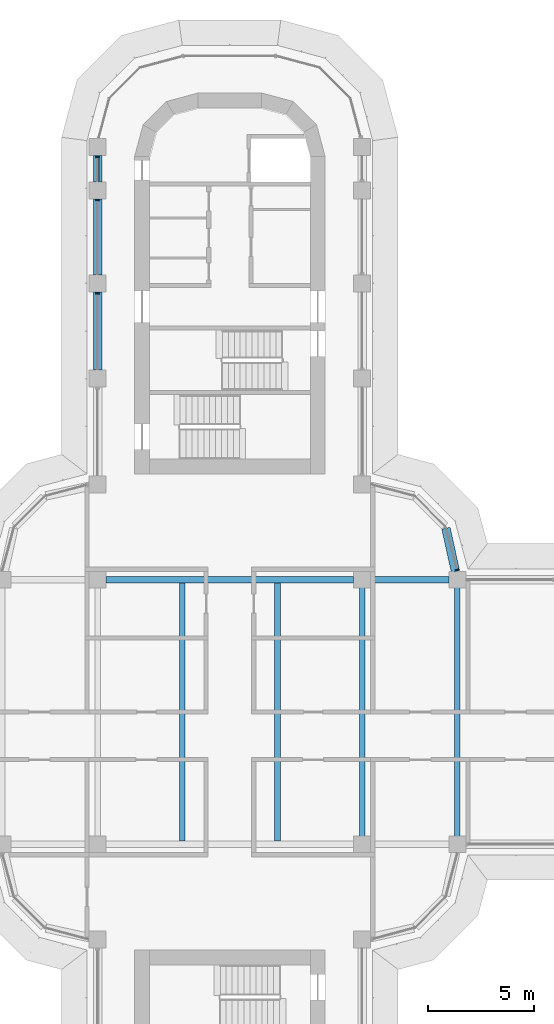
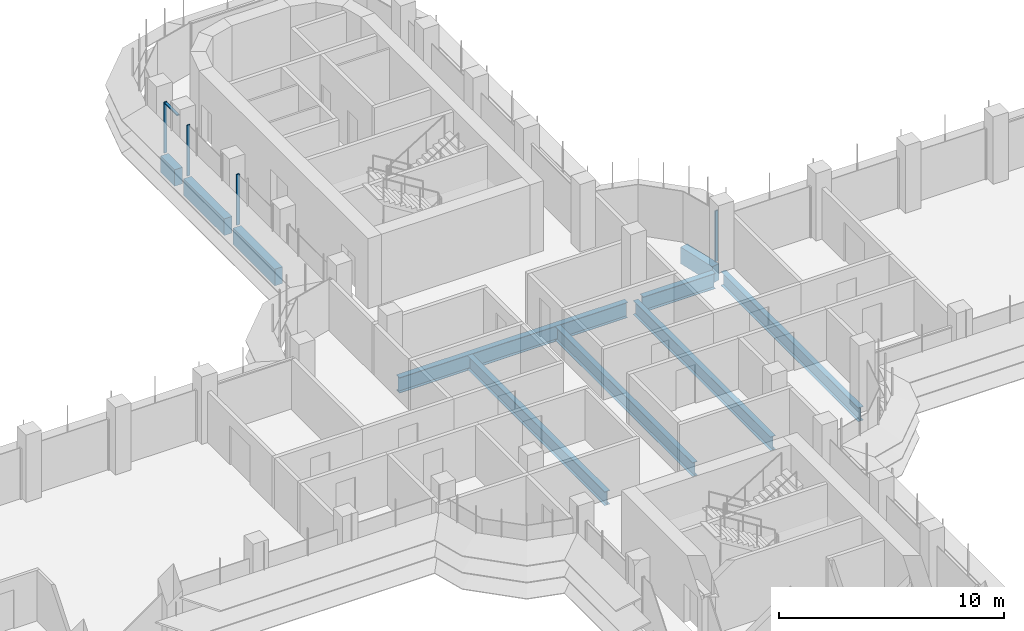
# One storey, part 7 of 19: 10 beams, 5 members, 2 elements without a shape of their own.
"""IFC4 building model written with IfcOpenShell, lengths in metres."""

from ifc_helpers import new_model, si_unit, direction, frame, origin, origin_2d, place, context, subcontext, project, spatial, polyline, rectangle, i_section, outline, extrude, source, transform, mapped, material, material_profile, profile_set, type_object, element, aggregate, save


model = new_model("IFC4")

# Units and contexts
model_context = context("Model", 3, precision=1e-05, world=origin(), true_north=direction((0.0, 1.0)))
body_context = subcontext(model_context, "Body", "Model", "MODEL_VIEW")
ifc_project = project(units=[si_unit("LENGTHUNIT", "METRE"), si_unit("AREAUNIT", "SQUARE_METRE"), si_unit("VOLUMEUNIT", "CUBIC_METRE"), si_unit("PLANEANGLEUNIT", "RADIAN"), si_unit("MASSUNIT", "GRAM", prefix="KILO")], contexts=[model_context])

# Site, building, storey
site_placement = place(None, origin())
site = spatial("IfcSite", under=ifc_project, at=site_placement, CompositionType="ELEMENT")
building_placement = place(site_placement, origin())
building = spatial("IfcBuilding", under=site, at=building_placement, Name="Zarbagh Exchange Tower", CompositionType="ELEMENT")
storey_placement = place(building_placement, frame((0.0, 0.0, 167.60009765625)))
storey = spatial("IfcBuildingStorey", under=building, at=storey_placement, Name="L40", CompositionType="ELEMENT", Elevation=167.60009765625)

# Beams
ifc_material_1 = material(Name="Steel ASTM A992 Gr 50", Category="steel")
ifc_material_profile_1 = material_profile(ifc_material_1, i_section(OverallWidth=0.26416015625, OverallDepth=0.749267578125, WebThickness=0.011962890625, FlangeThickness=0.015380859375, at=origin_2d()), Name="W30X90")
ifc_profile_set_1 = profile_set([ifc_material_profile_1], Name="Steel ASTM A992 Gr 50")
beam_type_1 = type_object("IfcBeamType", Name="Floor beam W30X90", PredefinedType="BEAM", material=ifc_profile_set_1)
for number, where, z_axis, x_axis, name in (
    (1, (-2.25, -6.10400390625, -0.524658203125), (0.0, 1.0, 0.0), (-1.0, 0.0, 0.0), "Steel floor beam"),
    (2, (2.25, -6.10400390625, -0.524658203125), (0.0, 1.0, 0.0), (-1.0, 0.0, 0.0), "Steel floor beam"),
    (3, (6.25, -6.10400390625, -0.524658203125), (0.0, 1.0, 0.0), (-1.0, 0.0, 0.0), "Steel floor beam"),
    (4, (10.75, -6.10400390625, -0.524658203125), (0.0, 1.0, 0.0), (-1.0, 0.0, 0.0), "Steel floor beam"),
):
    element("IfcBeam", number, at=place(storey_placement, frame(where, z_axis=z_axis, x_axis=x_axis)), inside=storey, type_object=beam_type_1, Name=name, PredefinedType="BEAM", context=body_context, shape_type="SweptSolid", body=[
        extrude(i_section(OverallWidth=0.26416015625, OverallDepth=0.749267578125, WebThickness=0.011962890625, FlangeThickness=0.015380859375, at=origin_2d()), origin(), (0.0, 0.0, 1.0), 12.2080078125),
    ])
ifc_material_profile_2 = material_profile(ifc_material_1, i_section(OverallWidth=0.2919921875, OverallDepth=0.835693359375, WebThickness=0.013916015625, FlangeThickness=0.018798828125, at=origin_2d()), Name="W33X118")
ifc_profile_set_2 = profile_set([ifc_material_profile_2], Name="Steel ASTM A992 Gr 50")
beam_type_2 = type_object("IfcBeamType", Name="Floor girder W33X118", PredefinedType="BEAM", material=ifc_profile_set_2)
beam_1_placement = place(storey_placement, frame((-5.85009765625, 6.25, -0.56787109375), z_axis=(1.0, 0.0, 0.0), x_axis=(0.0, 1.0, 0.0)))
element("IfcBeam", 5, at=beam_1_placement, inside=storey, type_object=beam_type_2, Name="Steel girder", PredefinedType="BEAM", context=body_context, shape_type="SweptSolid", body=[
    extrude(i_section(OverallWidth=0.2919921875, OverallDepth=0.835693359375, WebThickness=0.013916015625, FlangeThickness=0.018798828125, at=origin_2d()), origin(), (0.0, 0.0, 1.0), 11.7001953125),
])
beam_2_placement = place(storey_placement, frame((6.64990234375, 6.25, -0.56787109375), z_axis=(1.0, 0.0, 0.0), x_axis=(0.0, 1.0, 0.0)))
element("IfcBeam", 6, at=beam_2_placement, inside=storey, type_object=beam_type_2, Name="Steel girder", PredefinedType="BEAM", context=body_context, shape_type="SweptSolid", body=[
    extrude(i_section(OverallWidth=0.2919921875, OverallDepth=0.835693359375, WebThickness=0.013916015625, FlangeThickness=0.018798828125, at=origin_2d()), origin(), (0.0, 0.0, 1.0), 3.7001953125),
])
ifc_material_2 = material(Name="Concrete C50/60", Category="concrete")
ifc_material_profile_3 = material_profile(ifc_material_2, rectangle(XDim=0.39990234375, YDim=0.89990234375, at=origin_2d()), Name="RC spandrel beam 400 x 900 C50/60")
ifc_profile_set_3 = profile_set([ifc_material_profile_3], Name="Concrete C50/60")
beam_type_3 = type_object("IfcBeamType", Name="RC spandrel beam 400 x 900 C50/60", PredefinedType="SPANDREL", material=ifc_profile_set_3)
beam_3_placement = place(storey_placement, frame((-6.25, 16.14990234375, -0.60009765625), z_axis=(0.0, 1.0, 0.0), x_axis=(-1.0, 0.0, 0.0)))
element("IfcBeam", 7, at=beam_3_placement, inside=storey, type_object=beam_type_3, Name="RC spandrel beam", PredefinedType="SPANDREL", context=body_context, shape_type="SweptSolid", body=[
    extrude(rectangle(XDim=0.39990234375, YDim=0.89990234375, at=origin_2d()), origin(), (0.0, 0.0, 1.0), 3.7001953125),
])
beam_4_placement = place(storey_placement, frame((-6.25, 20.64990234375, -0.60009765625), z_axis=(0.0, 1.0, 0.0), x_axis=(-1.0, 0.0, 0.0)))
element("IfcBeam", 8, at=beam_4_placement, inside=storey, type_object=beam_type_3, Name="RC spandrel beam", PredefinedType="SPANDREL", context=body_context, shape_type="SweptSolid", body=[
    extrude(rectangle(XDim=0.39990234375, YDim=0.89990234375, at=origin_2d()), origin(), (0.0, 0.0, 1.0), 3.60009765625),
])
beam_5_placement = place(storey_placement, frame((-6.25, 25.050048828125, -0.60009765625), z_axis=(0.0, 1.0, 0.0), x_axis=(-1.0, 0.0, 0.0)))
element("IfcBeam", 9, at=beam_5_placement, inside=storey, type_object=beam_type_3, Name="RC spandrel beam", PredefinedType="SPANDREL", context=body_context, shape_type="SweptSolid", body=[
    extrude(rectangle(XDim=0.39990234375, YDim=0.89990234375, at=origin_2d()), origin(), (0.0, 0.0, 1.0), 1.25),
])
beam_6_placement = place(storey_placement, frame((10.21142578125, 8.68408203125, -0.60009765625), z_axis=(0.216041061437, -0.976384278741, 0.0), x_axis=(0.976384278741, 0.216041061437, 0.0)))
element("IfcBeam", 10, at=beam_6_placement, inside=storey, type_object=beam_type_3, Name="RC spandrel beam", PredefinedType="SPANDREL", context=body_context, shape_type="SweptSolid", body=[
    extrude(rectangle(XDim=0.39990234375, YDim=0.89990234375, at=origin_2d()), origin(), (0.0, 0.0, 1.0), 2.0927734375),
])

# Curtain wall, member
ifc_material_3 = material(Name="Anodised aluminium frame and glazing", Category="aluminium")
curtain_wall_type = type_object("IfcCurtainWallType", Name="CWB Ribbon glazing, upper zones", PredefinedType="NOTDEFINED", material=ifc_material_3)
curtain_wall_1_placement = place(storey_placement, origin())
curtain_wall_1 = element("IfcCurtainWall", 11, at=curtain_wall_1_placement, inside=storey, type_object=curtain_wall_type, Name="CWB17 curtain wall", PredefinedType="NOTDEFINED")
ifc_material_4 = material(Name="Anodised aluminium frame", Category="aluminium")
member_type_1 = type_object("IfcMemberType", Name="MUB Mullion, anodised aluminium frame", PredefinedType="MULLION", material=ifc_material_4)
shared_shape_1 = source(origin(), body_context, "Body", "SweptSolid", [
    extrude(outline(polyline([(0.0, -0.080078125), (0.06005859375, -0.080078125), (0.06005859375, 0.080078125), (0.0, 0.080078125), (0.0, -0.080078125)])), origin(), (0.0, 0.0, 1.0), 2.75),
])
placement = place(storey_placement, origin())
member_1 = element("IfcMember", 12, at=placement, type_object=member_type_1, Name="CWB17 mullion 1.1", PredefinedType="MULLION", context=body_context, shape_type="MappedRepresentation", body=[
    mapped(shared_shape_1, transform((10.74853515625, 6.68994140625, 0.0), x_axis=(-0.258824779902, 0.965924289636, 0.0), y_axis=(-0.965924289636, -0.258824779902, 0.0), z_axis=(0.0, 0.0, 1.0))),
])
aggregate(curtain_wall_1, [member_1])

# Curtain wall, members
curtain_wall_2_placement = place(storey_placement, origin())
curtain_wall_2 = element("IfcCurtainWall", 13, at=curtain_wall_2_placement, inside=storey, type_object=curtain_wall_type, Name="CWB28 curtain wall", PredefinedType="NOTDEFINED")
member_2 = element("IfcMember", 14, at=placement, type_object=member_type_1, Name="CWB28 mullion 1.1", PredefinedType="MULLION", context=body_context, shape_type="MappedRepresentation", body=[
    mapped(shared_shape_1, transform((-6.25, 26.260009765625, 0.0), x_axis=(0.0, -1.0, 0.0), y_axis=(1.0, 0.0, 0.0), z_axis=(0.0, 0.0, 1.0))),
])
member_3 = element("IfcMember", 15, at=placement, type_object=member_type_1, Name="CWB28 mullion 2.1", PredefinedType="MULLION", context=body_context, shape_type="MappedRepresentation", body=[
    mapped(shared_shape_1, transform((-6.25, 24.2099609375, 0.0), x_axis=(0.0, -1.0, 0.0), y_axis=(1.0, 0.0, 0.0), z_axis=(0.0, 0.0, 1.0))),
])
member_4 = element("IfcMember", 16, at=placement, type_object=member_type_1, Name="CWB28 mullion 3.1", PredefinedType="MULLION", context=body_context, shape_type="MappedRepresentation", body=[
    mapped(shared_shape_1, transform((-6.25, 19.81005859375, 0.0), x_axis=(0.0, -1.0, 0.0), y_axis=(1.0, 0.0, 0.0), z_axis=(0.0, 0.0, 1.0))),
])
member_type_2 = type_object("IfcMemberType", Name="TRB Transom, anodised aluminium frame", PredefinedType="USERDEFINED", material=ifc_material_4)
shared_shape_2 = source(origin(), body_context, "Body", "SweptSolid", [
    extrude(outline(polyline([(-0.06005859375, -0.06005859375), (0.0, -0.06005859375), (0.0, 0.06005859375), (-0.06005859375, 0.06005859375), (-0.06005859375, -0.06005859375)])), origin(), (0.0, 0.0, 1.0), 1.110107421875),
])
member_5 = element("IfcMember", 17, at=placement, type_object=member_type_2, Name="CWB28 transom 1.1", ObjectType="TRANSOM", PredefinedType="USERDEFINED", context=body_context, shape_type="MappedRepresentation", body=[
    mapped(shared_shape_2, transform((-6.25, 26.199951171875, 2.75), x_axis=(0.0, 0.0, 1.0), y_axis=(-1.0, 0.0, 0.0), z_axis=(0.0, -1.0, 0.0))),
])
aggregate(curtain_wall_2, [member_2, member_5, member_3, member_4])

save(model, "model.ifc")
